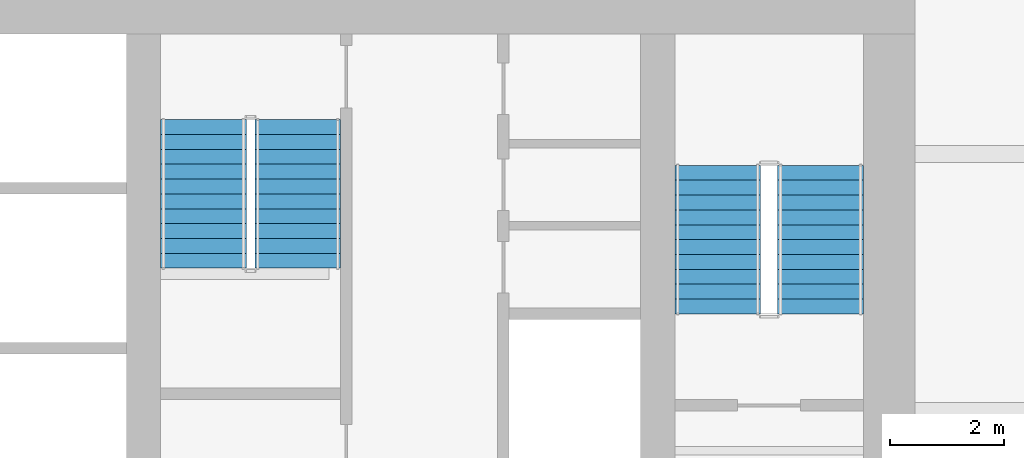
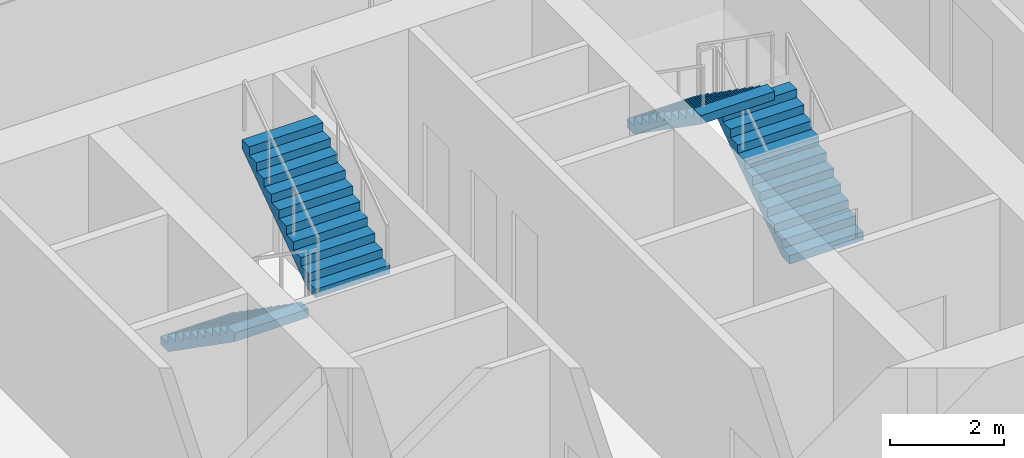
# One storey, part 16 of 19: 4 stair flights, 2 elements without a shape of their own.
"""IFC4 building model written with IfcOpenShell, lengths in metres."""

from ifc_helpers import new_model, si_unit, direction, frame, origin, place, context, subcontext, project, spatial, polyline, outline, extrude, material, type_object, element, aggregate, save


model = new_model("IFC4")

# Units and contexts
model_context = context("Model", 3, precision=1e-05, world=origin(), true_north=direction((0.0, 1.0)))
body_context = subcontext(model_context, "Body", "Model", "MODEL_VIEW")
ifc_project = project(units=[si_unit("LENGTHUNIT", "METRE"), si_unit("AREAUNIT", "SQUARE_METRE"), si_unit("VOLUMEUNIT", "CUBIC_METRE"), si_unit("PLANEANGLEUNIT", "RADIAN"), si_unit("MASSUNIT", "GRAM", prefix="KILO")], contexts=[model_context])

# Site, building, storey
site_placement = place(None, origin())
site = spatial("IfcSite", under=ifc_project, at=site_placement, CompositionType="ELEMENT")
building_placement = place(site_placement, origin())
building = spatial("IfcBuilding", under=site, at=building_placement, Name="Rattan Terrace Tower", CompositionType="ELEMENT")
storey_placement = place(building_placement, frame((0.0, 0.0, 91.699951171875)))
storey = spatial("IfcBuildingStorey", under=building, at=storey_placement, Name="L20", CompositionType="ELEMENT", Elevation=91.699951171875)

# Stair, stair flights
ifc_material_1 = material(Name="Concrete C40/50", Category="concrete")
stair_type = type_object("IfcStairType", Name="Core exit stair 1500", PredefinedType="HALF_TURN_STAIR", material=ifc_material_1)
stair_1_placement = place(storey_placement, origin())
stair_1 = element("IfcStair", 1, at=stair_1_placement, inside=storey, type_object=stair_type, Name="L20 exit stair 2", PredefinedType="HALF_TURN_STAIR")
ifc_material_2 = material(Name="Concrete C40/50", Category="concrete")
stair_flight_type = type_object("IfcStairFlightType", Name="Core exit stair flight 1500", PredefinedType="STRAIGHT", material=ifc_material_2)
stair_flight_1_placement = place(storey_placement, frame((16.35009765625, 1.699951171875, 0.0), z_axis=(0.0, 0.0, 1.0), x_axis=(0.0, 1.0, 0.0)))
stair_flight_1 = element("IfcStairFlight", 2, at=stair_flight_1_placement, type_object=stair_flight_type, Name="S2 flight 1", NumberOfRisers=11, NumberOfTreads=10, PredefinedType="STRAIGHT", RiserHeight=0.181818182, TreadLength=0.26, context=body_context, shape_type="SweptSolid", body=[
    extrude(outline(polyline([(0.0, 0.0), (0.0, 0.181884765625), (0.260009765625, 0.181884765625), (0.260009765625, 0.363525390625), (0.52001953125, 0.363525390625), (0.52001953125, 0.54541015625), (0.780029296875, 0.54541015625), (0.780029296875, 0.727294921875), (1.0400390625, 0.727294921875), (1.0400390625, 0.9091796875), (1.300048828125, 0.9091796875), (1.300048828125, 1.0908203125), (1.56005859375, 1.0908203125), (1.56005859375, 1.272705078125), (1.820068359375, 1.272705078125), (1.820068359375, 1.45458984375), (2.080078125, 1.45458984375), (2.080078125, 1.636474609375), (2.340087890625, 1.636474609375), (2.340087890625, 1.818115234375), (2.60009765625, 1.818115234375), (2.60009765625, 2.0), (2.60009765625, 1.63525390625), (0.261474609375, 0.0), (0.0, 0.0)])), frame((0.0, 0.75, 0.0), z_axis=(0.0, -1.0, 0.0), x_axis=(1.0, 0.0, 0.0)), (0.0, 0.0, 1.0), 1.5),
])
stair_flight_2_placement = place(storey_placement, frame((14.550048828125, 4.300048828125, 2.0), z_axis=(0.0, 0.0, 1.0), x_axis=(0.0, -1.0, 0.0)))
stair_flight_2 = element("IfcStairFlight", 3, at=stair_flight_2_placement, type_object=stair_flight_type, Name="S2 flight 2", NumberOfRisers=11, NumberOfTreads=10, PredefinedType="STRAIGHT", RiserHeight=0.181818182, TreadLength=0.26, context=body_context, shape_type="SweptSolid", body=[
    extrude(outline(polyline([(0.0, 0.0), (0.0, 0.181884765625), (0.260009765625, 0.181884765625), (0.260009765625, 0.363525390625), (0.52001953125, 0.363525390625), (0.52001953125, 0.54541015625), (0.780029296875, 0.54541015625), (0.780029296875, 0.727294921875), (1.0400390625, 0.727294921875), (1.0400390625, 0.9091796875), (1.300048828125, 0.9091796875), (1.300048828125, 1.0908203125), (1.56005859375, 1.0908203125), (1.56005859375, 1.272705078125), (1.820068359375, 1.272705078125), (1.820068359375, 1.45458984375), (2.080078125, 1.45458984375), (2.080078125, 1.636474609375), (2.340087890625, 1.636474609375), (2.340087890625, 1.818115234375), (2.60009765625, 1.818115234375), (2.60009765625, 2.0), (2.60009765625, 1.63525390625), (0.261474609375, 0.0), (0.0, 0.0)])), frame((0.0, 0.75, 0.0), z_axis=(0.0, -1.0, 0.0), x_axis=(1.0, 0.0, 0.0)), (0.0, 0.0, 1.0), 1.5),
])
aggregate(stair_1, [stair_flight_1, stair_flight_2])

stair_2_placement = place(storey_placement, origin())
stair_2 = element("IfcStair", 4, at=stair_2_placement, inside=storey, type_object=stair_type, Name="L20 exit stair 3", PredefinedType="HALF_TURN_STAIR")
stair_flight_3_placement = place(storey_placement, frame((5.550048828125, 5.10009765625, 0.0), z_axis=(0.0, 0.0, 1.0), x_axis=(0.0, -1.0, 0.0)))
stair_flight_3 = element("IfcStairFlight", 5, at=stair_flight_3_placement, type_object=stair_flight_type, Name="S3 flight 1", NumberOfRisers=11, NumberOfTreads=10, PredefinedType="STRAIGHT", RiserHeight=0.181818182, TreadLength=0.26, context=body_context, shape_type="SweptSolid", body=[
    extrude(outline(polyline([(0.0, 0.0), (0.0, 0.181884765625), (0.260009765625, 0.181884765625), (0.260009765625, 0.363525390625), (0.52001953125, 0.363525390625), (0.52001953125, 0.54541015625), (0.780029296875, 0.54541015625), (0.780029296875, 0.727294921875), (1.0400390625, 0.727294921875), (1.0400390625, 0.9091796875), (1.300048828125, 0.9091796875), (1.300048828125, 1.0908203125), (1.56005859375, 1.0908203125), (1.56005859375, 1.272705078125), (1.820068359375, 1.272705078125), (1.820068359375, 1.45458984375), (2.080078125, 1.45458984375), (2.080078125, 1.636474609375), (2.340087890625, 1.636474609375), (2.340087890625, 1.818115234375), (2.60009765625, 1.818115234375), (2.60009765625, 2.0), (2.60009765625, 1.63525390625), (0.261474609375, 0.0), (0.0, 0.0)])), frame((0.0, 0.75, 0.0), z_axis=(0.0, -1.0, 0.0), x_axis=(1.0, 0.0, 0.0)), (0.0, 0.0, 1.0), 1.5),
])
stair_flight_4_placement = place(storey_placement, frame((7.199951171875, 2.5, 2.0), z_axis=(0.0, 0.0, 1.0), x_axis=(0.0, 1.0, 0.0)))
stair_flight_4 = element("IfcStairFlight", 6, at=stair_flight_4_placement, type_object=stair_flight_type, Name="S3 flight 2", NumberOfRisers=11, NumberOfTreads=10, PredefinedType="STRAIGHT", RiserHeight=0.181818182, TreadLength=0.26, context=body_context, shape_type="SweptSolid", body=[
    extrude(outline(polyline([(0.0, 0.0), (0.0, 0.181884765625), (0.260009765625, 0.181884765625), (0.260009765625, 0.363525390625), (0.52001953125, 0.363525390625), (0.52001953125, 0.54541015625), (0.780029296875, 0.54541015625), (0.780029296875, 0.727294921875), (1.0400390625, 0.727294921875), (1.0400390625, 0.9091796875), (1.300048828125, 0.9091796875), (1.300048828125, 1.0908203125), (1.56005859375, 1.0908203125), (1.56005859375, 1.272705078125), (1.820068359375, 1.272705078125), (1.820068359375, 1.45458984375), (2.080078125, 1.45458984375), (2.080078125, 1.636474609375), (2.340087890625, 1.636474609375), (2.340087890625, 1.818115234375), (2.60009765625, 1.818115234375), (2.60009765625, 2.0), (2.60009765625, 1.63525390625), (0.261474609375, 0.0), (0.0, 0.0)])), frame((0.0, 0.75, 0.0), z_axis=(0.0, -1.0, 0.0), x_axis=(1.0, 0.0, 0.0)), (0.0, 0.0, 1.0), 1.5),
])
aggregate(stair_2, [stair_flight_3, stair_flight_4])

save(model, "model.ifc")
